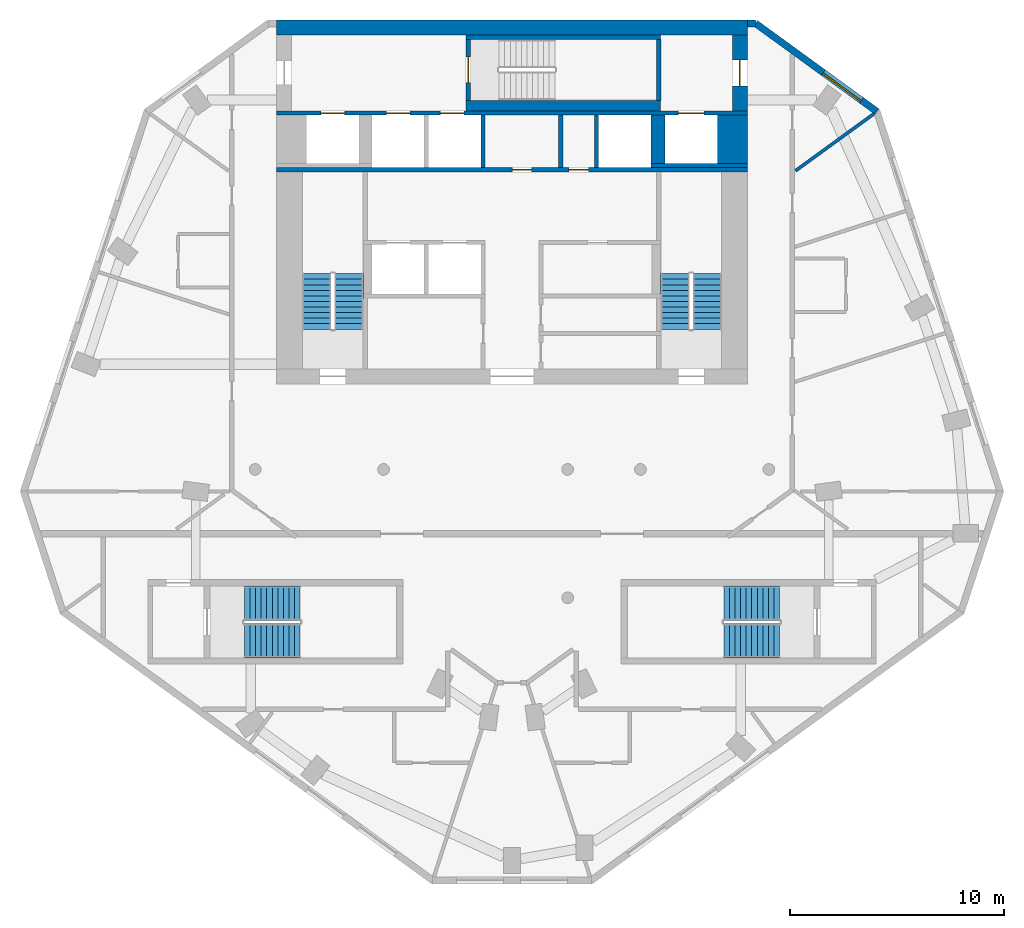
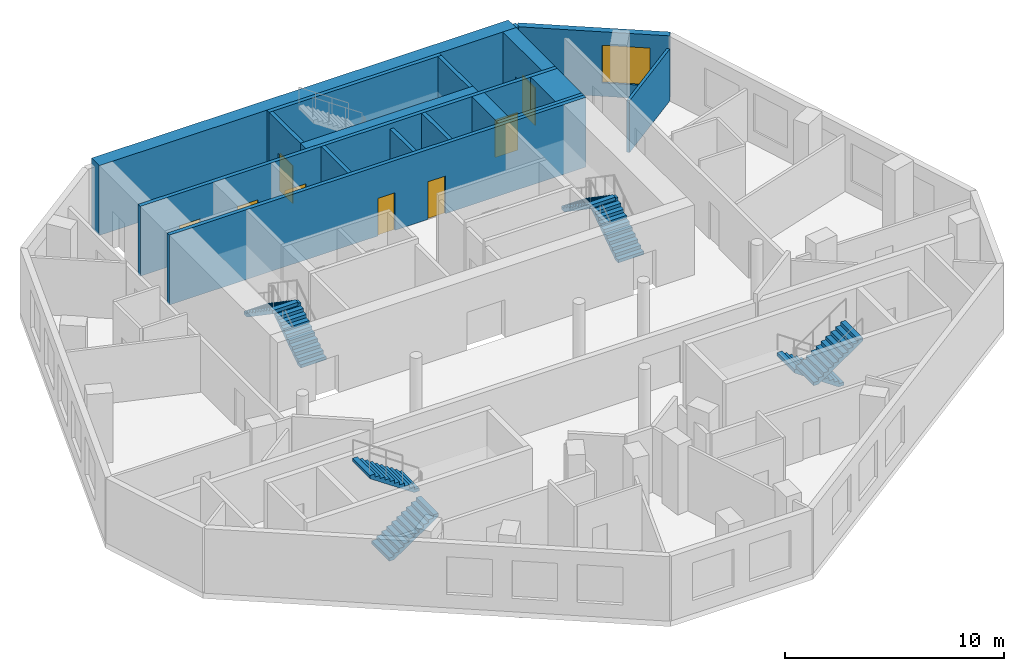
# One storey, part 5 of 8: 17 walls, 8 doors, 8 stair flights, 1 window, 9 openings, 4 elements without a shape of their own.
"""IFC4 building model written with IfcOpenShell, lengths in metres."""

from ifc_helpers import new_model, si_unit, direction, frame, frame_2d, origin, place, context, subcontext, project, spatial, polyline, rectangle, outline, extrude, material, layer, layer_set, type_object, element, fill, aggregate, save


model = new_model("IFC4")

# Units and contexts
model_context = context("Model", 3, precision=1e-05, world=origin(), true_north=direction((0.0, 1.0)))
body_context = subcontext(model_context, "Body", "Model", "MODEL_VIEW")
ifc_project = project(units=[si_unit("LENGTHUNIT", "METRE"), si_unit("AREAUNIT", "SQUARE_METRE"), si_unit("VOLUMEUNIT", "CUBIC_METRE"), si_unit("PLANEANGLEUNIT", "RADIAN"), si_unit("MASSUNIT", "GRAM", prefix="KILO")], contexts=[model_context])

# Site, building, storey
site_placement = place(None, origin())
site = spatial("IfcSite", under=ifc_project, at=site_placement, CompositionType="ELEMENT")
building_placement = place(site_placement, origin())
building = spatial("IfcBuilding", under=site, at=building_placement, Name="White Candle Pilgrim Tower", CompositionType="ELEMENT")
storey_placement = place(building_placement, frame((0.0, 0.0, 291.199951171875)))
storey = spatial("IfcBuildingStorey", under=building, at=storey_placement, Name="L69", CompositionType="ELEMENT", Elevation=291.199951171875)

# Walls
ifc_material_1 = material(Name="Concrete C50/60", Category="concrete")
ifc_layer_1 = layer(ifc_material_1, 1.39990234375)
ifc_layer_set_1 = layer_set([ifc_layer_1], Name="Core wall 1400 mm Concrete C50/60")
wall_type_1 = type_object("IfcWallType", Name="Core wall 1400 mm Concrete C50/60", PredefinedType="SHEAR", material=ifc_layer_set_1)
wall_1_placement = place(storey_placement, frame((80.300048828125, 81.300048828125, 0.0), z_axis=(0.0, 0.0, 1.0), x_axis=(0.0, 1.0, 0.0)))
element("IfcWall", 1, at=wall_1_placement, inside=storey, type_object=wall_type_1, Name="WL-L69-C42", PredefinedType="SHEAR", context=body_context, shape_type="SweptSolid", body=[
    extrude(rectangle(XDim=2.25, YDim=1.39990234375, at=frame_2d((1.125, 0.0))), origin(), (0.0, 0.0, 1.0), 3.900146484375),
])
ifc_layer_2 = layer(ifc_material_1, 0.199951171875)
ifc_layer_set_2 = layer_set([ifc_layer_2], Name="Core wall 200 mm Concrete C50/60")
wall_type_2 = type_object("IfcWallType", Name="Core wall 200 mm Concrete C50/60", PredefinedType="SHEAR", material=ifc_layer_set_2)
wall_2_placement = place(storey_placement, frame((76.5, 81.199951171875, 0.0), z_axis=(0.0, 0.0, 1.0), x_axis=(1.0, 0.0, 0.0)))
element("IfcWall", 2, at=wall_2_placement, inside=storey, type_object=wall_type_2, Name="WL-L69-C38", PredefinedType="SHEAR", context=body_context, shape_type="SweptSolid", body=[
    extrude(rectangle(XDim=4.5, YDim=0.199951171875, at=frame_2d((2.25, 0.0))), origin(), (0.0, 0.0, 1.0), 3.900146484375),
])

# Wall, openings, doors
wall_3_placement = place(storey_placement, frame((59.0, 83.64990234375, 0.0), z_axis=(0.0, 0.0, 1.0), x_axis=(1.0, 0.0, 0.0)))
wall_3 = element("IfcWall", 3, at=wall_3_placement, inside=storey, type_object=wall_type_2, Name="WL-L69-C43", PredefinedType="SHEAR", context=body_context, shape_type="SweptSolid", body=[
    extrude(rectangle(XDim=22.0, YDim=0.199951171875, at=frame_2d((11.0, 0.0))), origin(), (0.0, 0.0, 1.0), 3.900146484375),
])
opening_1_placement = place(wall_3_placement, frame((5.125, 0.0, 0.0)))
opening_1 = element("IfcOpeningElement", 4, at=opening_1_placement, cuts=wall_3, Name="Opening T21-016", PredefinedType="OPENING", context=body_context, shape_type="SweptSolid", body=[
    extrude(rectangle(XDim=1.10009765625, YDim=2.10009765625, at=frame_2d((0.550048828125, 1.050048828125))), frame((0.0, 0.10986328125, 0.0), z_axis=(0.0, -1.0, 0.0), x_axis=(1.0, 0.0, 0.0)), (0.0, 0.0, 1.0), 0.219970703125),
])
opening_2_placement = place(wall_3_placement, frame((7.64990234375, 0.0, 0.0)))
opening_2 = element("IfcOpeningElement", 5, at=opening_2_placement, cuts=wall_3, Name="Opening T21-017", PredefinedType="OPENING", context=body_context, shape_type="SweptSolid", body=[
    extrude(rectangle(XDim=1.10009765625, YDim=2.10009765625, at=frame_2d((0.550048828125, 1.050048828125))), frame((0.0, 0.10986328125, 0.0), z_axis=(0.0, -1.0, 0.0), x_axis=(1.0, 0.0, 0.0)), (0.0, 0.0, 1.0), 0.219970703125),
])
opening_3_placement = place(wall_3_placement, frame((18.77490234375, 0.0, 0.0)))
opening_3 = element("IfcOpeningElement", 6, at=opening_3_placement, cuts=wall_3, Name="Opening T21-018", PredefinedType="OPENING", context=body_context, shape_type="SweptSolid", body=[
    extrude(rectangle(XDim=1.199951171875, YDim=2.10009765625, at=frame_2d((0.60009765625, 1.050048828125))), frame((0.0, 0.10986328125, 0.0), z_axis=(0.0, -1.0, 0.0), x_axis=(1.0, 0.0, 0.0)), (0.0, 0.0, 1.0), 0.219970703125),
])
opening_4_placement = place(wall_3_placement, frame((2.074951171875, 0.0, 0.0)))
opening_4 = element("IfcOpeningElement", 7, at=opening_4_placement, cuts=wall_3, Name="Opening T21-019", PredefinedType="OPENING", context=body_context, shape_type="SweptSolid", body=[
    extrude(rectangle(XDim=1.10009765625, YDim=2.10009765625, at=frame_2d((0.550048828125, 1.050048828125))), frame((0.0, 0.10986328125, 0.0), z_axis=(0.0, -1.0, 0.0), x_axis=(1.0, 0.0, 0.0)), (0.0, 0.0, 1.0), 0.219970703125),
])
ifc_material_2 = material(Name="Stainless steel", Category="steel")
door_type_1 = type_object("IfcDoorType", Name="Lift landing door 1100 x 2100 EI 60", OperationType="DOUBLE_DOOR_SLIDING", PredefinedType="DOOR", material=ifc_material_2)
door_1_placement = place(opening_1_placement, origin())
door_1 = element("IfcDoor", 8, at=door_1_placement, inside=storey, type_object=door_type_1, Name="Door T21-016", OperationType="DOUBLE_DOOR_SLIDING", OverallHeight=2.10009765625, OverallWidth=1.10009765625, PredefinedType="DOOR", context=body_context, shape_type="SweptSolid", body=[
    extrude(rectangle(XDim=1.10009765625, YDim=2.10009765625, at=frame_2d((0.550048828125, 1.050048828125))), frame((0.0, 0.02490234375, 0.0), z_axis=(0.0, -1.0, 0.0), x_axis=(1.0, 0.0, 0.0)), (0.0, 0.0, 1.0), 0.050048828125),
])
fill(opening_1, door_1)
door_2_placement = place(opening_2_placement, origin())
door_2 = element("IfcDoor", 9, at=door_2_placement, inside=storey, type_object=door_type_1, Name="Door T21-017", OperationType="DOUBLE_DOOR_SLIDING", OverallHeight=2.10009765625, OverallWidth=1.10009765625, PredefinedType="DOOR", context=body_context, shape_type="SweptSolid", body=[
    extrude(rectangle(XDim=1.10009765625, YDim=2.10009765625, at=frame_2d((0.550048828125, 1.050048828125))), frame((0.0, 0.02490234375, 0.0), z_axis=(0.0, -1.0, 0.0), x_axis=(1.0, 0.0, 0.0)), (0.0, 0.0, 1.0), 0.050048828125),
])
fill(opening_2, door_2)
door_3_placement = place(opening_4_placement, origin())
door_3 = element("IfcDoor", 10, at=door_3_placement, inside=storey, type_object=door_type_1, Name="Door T21-019", OperationType="DOUBLE_DOOR_SLIDING", OverallHeight=2.10009765625, OverallWidth=1.10009765625, PredefinedType="DOOR", context=body_context, shape_type="SweptSolid", body=[
    extrude(rectangle(XDim=1.10009765625, YDim=2.10009765625, at=frame_2d((0.550048828125, 1.050048828125))), frame((0.0, 0.02490234375, 0.0), z_axis=(0.0, -1.0, 0.0), x_axis=(1.0, 0.0, 0.0)), (0.0, 0.0, 1.0), 0.050048828125),
])
fill(opening_4, door_3)
door_type_2 = type_object("IfcDoorType", Name="Lift landing door 1200 x 2100 E 60", OperationType="DOUBLE_DOOR_SLIDING", PredefinedType="DOOR", material=ifc_material_2)
door_4_placement = place(opening_3_placement, origin())
door_4 = element("IfcDoor", 11, at=door_4_placement, inside=storey, type_object=door_type_2, Name="Door T21-018", OperationType="DOUBLE_DOOR_SLIDING", OverallHeight=2.10009765625, OverallWidth=1.199951171875, PredefinedType="DOOR", context=body_context, shape_type="SweptSolid", body=[
    extrude(rectangle(XDim=1.199951171875, YDim=2.10009765625, at=frame_2d((0.60009765625, 1.050048828125))), frame((0.0, 0.02490234375, 0.0), z_axis=(0.0, -1.0, 0.0), x_axis=(1.0, 0.0, 0.0)), (0.0, 0.0, 1.0), 0.050048828125),
])
fill(opening_3, door_4)

# Wall, opening, door
ifc_layer_3 = layer(ifc_material_1, 0.699951171875)
ifc_layer_set_3 = layer_set([ifc_layer_3], Name="Core wall 700 mm Concrete C50/60")
wall_type_3 = type_object("IfcWallType", Name="Core wall 700 mm Concrete C50/60", PredefinedType="SHEAR", material=ifc_layer_set_3)
wall_4_placement = place(storey_placement, frame((80.64990234375, 83.75, 0.0), z_axis=(0.0, 0.0, 1.0), x_axis=(0.0, 1.0, 0.0)))
wall_4 = element("IfcWall", 12, at=wall_4_placement, inside=storey, type_object=wall_type_3, Name="WL-L69-C46", PredefinedType="SHEAR", context=body_context, shape_type="SweptSolid", body=[
    extrude(rectangle(XDim=3.550048828125, YDim=0.699951171875, at=frame_2d((1.77490234375, 0.0))), origin(), (0.0, 0.0, 1.0), 3.900146484375),
])
opening_5_placement = place(wall_4_placement, frame((1.175048828125, 0.0, 0.0)))
opening_5 = element("IfcOpeningElement", 13, at=opening_5_placement, cuts=wall_4, Name="Opening T21-009", PredefinedType="OPENING", context=body_context, shape_type="SweptSolid", body=[
    extrude(rectangle(XDim=1.199951171875, YDim=2.10009765625, at=frame_2d((0.60009765625, 1.050048828125))), frame((0.0, 0.35986328125, 0.0), z_axis=(0.0, -1.0, 0.0), x_axis=(1.0, 0.0, 0.0)), (0.0, 0.0, 1.0), 0.719970703125),
])
ifc_material_3 = material(Name="Steel door leaf", Category="steel")
door_type_3 = type_object("IfcDoorType", Name="Fire door 1200 x 2100 EI 30", OperationType="NOTDEFINED", PredefinedType="DOOR", material=ifc_material_3)
door_5_placement = place(opening_5_placement, origin())
door_5 = element("IfcDoor", 14, at=door_5_placement, inside=storey, type_object=door_type_3, Name="Door T21-009", OperationType="SINGLE_SWING_LEFT", OverallHeight=2.10009765625, OverallWidth=1.199951171875, PredefinedType="DOOR", context=body_context, shape_type="SweptSolid", body=[
    extrude(rectangle(XDim=1.199951171875, YDim=2.10009765625, at=frame_2d((0.60009765625, 1.050048828125))), frame((0.0, 0.02490234375, 0.0), z_axis=(0.0, -1.0, 0.0), x_axis=(1.0, 0.0, 0.0)), (0.0, 0.0, 1.0), 0.050048828125),
])
fill(opening_5, door_5)

# Wall
wall_5_placement = place(storey_placement, frame((59.0, 87.64990234375, 0.0), z_axis=(0.0, 0.0, 1.0), x_axis=(1.0, 0.0, 0.0)))
element("IfcWall", 15, at=wall_5_placement, inside=storey, type_object=wall_type_3, Name="WL-L69-C50", PredefinedType="SHEAR", context=body_context, shape_type="SweptSolid", body=[
    extrude(rectangle(XDim=22.0, YDim=0.699951171875, at=frame_2d((11.0, 0.0))), origin(), (0.0, 0.0, 1.0), 3.900146484375),
])

# Wall, opening, window
ifc_material_4 = material(Name="Precast concrete C40/50", Category="concrete")
ifc_layer_4 = layer(ifc_material_4, 0.320068359375)
ifc_layer_set_4 = layer_set([ifc_layer_4], Name="Facade wall EW1 precast concrete C40/50 pier wall with timber-lined reveals")
wall_type_4 = type_object("IfcWallType", Name="Facade wall EW1 precast concrete C40/50 pier wall with timber-lined reveals", PredefinedType="SOLIDWALL", material=ifc_layer_set_4)
wall_6_placement = place(storey_placement, frame((87.05322265625, 83.7216796875, 0.0), z_axis=(0.0, 0.0, 1.0), x_axis=(-0.809002708762, 0.587804914249, 0.0)))
wall_6 = element("IfcWall", 16, at=wall_6_placement, inside=storey, type_object=wall_type_4, Name="Facade wall L69 NE chamfer", PredefinedType="SOLIDWALL", context=body_context, shape_type="SweptSolid", body=[
    extrude(rectangle(XDim=7.00634765625, YDim=0.320068359375, at=frame_2d((3.503173828125, 0.0))), origin(), (0.0, 0.0, 1.0), 3.60009765625),
])
opening_6_placement = place(wall_6_placement, frame((0.9033203125, 0.0, 0.75)))
opening_6 = element("IfcOpeningElement", 17, at=opening_6_placement, cuts=wall_6, Name="Opening W4", PredefinedType="OPENING", context=body_context, shape_type="SweptSolid", body=[
    extrude(rectangle(XDim=2.199951171875, YDim=2.10009765625, at=frame_2d((1.10009765625, 1.050048828125))), frame((0.0, 0.169921875, 0.0), z_axis=(0.0, -1.0, 0.0), x_axis=(1.0, 0.0, 0.0)), (0.0, 0.0, 1.0), 0.340087890625),
])
ifc_material_5 = material(Name="Timber frame with triple glazing", Category="wood")
window_type = type_object("IfcWindowType", Name="Window W4 2200x2100 timber frame triple glazing", PartitioningType="SINGLE_PANEL", PredefinedType="WINDOW", material=ifc_material_5)
window_placement = place(opening_6_placement, origin())
window = element("IfcWindow", 18, at=window_placement, inside=storey, type_object=window_type, Name="Window W4 L69 NE chamfer 1", OverallHeight=2.10009765625, OverallWidth=2.199951171875, PartitioningType="SINGLE_PANEL", PredefinedType="WINDOW", context=body_context, shape_type="SweptSolid", body=[
    extrude(rectangle(XDim=2.199951171875, YDim=2.10009765625, at=frame_2d((1.10009765625, 1.050048828125))), frame((0.0, 0.070068359375, 0.0), z_axis=(0.0, -1.0, 0.0), x_axis=(1.0, 0.0, 0.0)), (0.0, 0.0, 1.0), 0.06005859375),
])
fill(opening_6, window)

# Walls
wall_7_placement = place(storey_placement, frame((81.385009765625, 87.840087890625, 0.0), z_axis=(0.0, 0.0, 1.0), x_axis=(-1.0, 0.0, 0.0)))
element("IfcWall", 19, at=wall_7_placement, inside=storey, type_object=wall_type_4, Name="Facade wall L69 N", PredefinedType="SOLIDWALL", context=body_context, shape_type="SweptSolid", body=[
    extrude(rectangle(XDim=0.385009765625, YDim=0.320068359375, at=frame_2d((0.1923828125, 0.0))), origin(), (0.0, 0.0, 1.0), 3.60009765625),
])
ifc_material_6 = material(Name="Gypsum board on steel studs", Category="steel")
ifc_layer_5 = layer(ifc_material_6, 0.199951171875)
ifc_layer_set_5 = layer_set([ifc_layer_5], Name="Lobby wall 200 mm EI 60")
wall_type_5 = type_object("IfcWallType", Name="Lobby wall 200 mm EI 60", PredefinedType="PARTITIONING", material=ifc_layer_set_5)
wall_8_placement = place(storey_placement, frame((72.280029296875, 81.10009765625, 0.0), z_axis=(0.0, 0.0, 1.0), x_axis=(0.0, 1.0, 0.0)))
element("IfcWall", 20, at=wall_8_placement, inside=storey, type_object=wall_type_5, Name="WL-L69-C36", PredefinedType="PARTITIONING", context=body_context, shape_type="SweptSolid", body=[
    extrude(rectangle(XDim=2.449951171875, YDim=0.199951171875, at=frame_2d((1.22509765625, 0.0))), origin(), (0.0, 0.0, 1.0), 3.60009765625),
])
ifc_layer_6 = layer(ifc_material_6, 0.14990234375)
ifc_layer_set_6 = layer_set([ifc_layer_6], Name="Partition 150 mm EI 60")
wall_type_6 = type_object("IfcWallType", Name="Partition 150 mm EI 60", PredefinedType="PARTITIONING", material=ifc_layer_set_6)
wall_9_placement = place(storey_placement, frame((86.917236328125, 83.622802734375, 0.0), z_axis=(0.0, 0.0, 1.0), x_axis=(-0.809012707043, -0.587791153253, 0.0)))
element("IfcWall", 21, at=wall_9_placement, inside=storey, type_object=wall_type_6, Name="WL-L69-P024", PredefinedType="PARTITIONING", context=body_context, shape_type="SweptSolid", body=[
    extrude(rectangle(XDim=4.540283203125, YDim=0.14990234375, at=frame_2d((2.27001953125, 0.0))), origin(), (0.0, 0.0, 1.0), 2.900146484375),
])
ifc_layer_7 = layer(ifc_material_1, 0.199951171875)
ifc_layer_set_7 = layer_set([ifc_layer_7], Name="Shaft wall 200 mm Concrete C50/60")
wall_type_7 = type_object("IfcWallType", Name="Shaft wall 200 mm Concrete C50/60", PredefinedType="SHEAR", material=ifc_layer_set_7)
for number, where, z_axis, x_axis, name in (
    (22, (68.64990234375, 81.10009765625, 0.0), (0.0, 0.0, 1.0), (0.0, 1.0, 0.0), "WL-L69-C35"),
    (23, (73.949951171875, 81.10009765625, 0.0), (0.0, 0.0, 1.0), (0.0, 1.0, 0.0), "WL-L69-C37"),
):
    element("IfcWall", number, at=place(storey_placement, frame(where, z_axis=z_axis, x_axis=x_axis)), inside=storey, type_object=wall_type_7, Name=name, PredefinedType="SHEAR", context=body_context, shape_type="SweptSolid", body=[
        extrude(rectangle(XDim=2.449951171875, YDim=0.199951171875, at=frame_2d((1.22509765625, 0.0))), origin(), (0.0, 0.0, 1.0), 3.900146484375),
    ])
ifc_layer_8 = layer(ifc_material_1, 0.64990234375)
ifc_layer_set_8 = layer_set([ifc_layer_8], Name="Shaft wall 650 mm Concrete C50/60")
wall_type_8 = type_object("IfcWallType", Name="Shaft wall 650 mm Concrete C50/60", PredefinedType="SHEAR", material=ifc_layer_set_8)
wall_10_placement = place(storey_placement, frame((76.824951171875, 81.300048828125, 0.0), z_axis=(0.0, 0.0, 1.0), x_axis=(0.0, 1.0, 0.0)))
element("IfcWall", 24, at=wall_10_placement, inside=storey, type_object=wall_type_8, Name="WL-L69-C41", PredefinedType="SHEAR", context=body_context, shape_type="SweptSolid", body=[
    extrude(rectangle(XDim=2.25, YDim=0.64990234375, at=frame_2d((1.125, 0.0))), origin(), (0.0, 0.0, 1.0), 3.900146484375),
])

# Wall, openings, doors
ifc_layer_9 = layer(ifc_material_1, 0.199951171875)
ifc_layer_set_9 = layer_set([ifc_layer_9], Name="Stair shaft wall 200 mm Concrete C50/60")
wall_type_9 = type_object("IfcWallType", Name="Stair shaft wall 200 mm Concrete C50/60", PredefinedType="SHEAR", material=ifc_layer_set_9)
wall_11_placement = place(storey_placement, frame((59.0, 81.0, 0.0), z_axis=(0.0, 0.0, 1.0), x_axis=(1.0, 0.0, 0.0)))
wall_11 = element("IfcWall", 25, at=wall_11_placement, inside=storey, type_object=wall_type_9, Name="WL-L69-C32", PredefinedType="SHEAR", context=body_context, shape_type="SweptSolid", body=[
    extrude(rectangle(XDim=22.0, YDim=0.199951171875, at=frame_2d((11.0, 0.0))), origin(), (0.0, 0.0, 1.0), 3.900146484375),
])
opening_7_placement = place(wall_11_placement, frame((11.014892578125, 0.0, 0.0)))
opening_7 = element("IfcOpeningElement", 26, at=opening_7_placement, cuts=wall_11, Name="Opening T21-021", PredefinedType="OPENING", context=body_context, shape_type="SweptSolid", body=[
    extrude(rectangle(XDim=0.89990234375, YDim=2.10009765625, at=frame_2d((0.449951171875, 1.050048828125))), frame((0.0, 0.10986328125, 0.0), z_axis=(0.0, -1.0, 0.0), x_axis=(1.0, 0.0, 0.0)), (0.0, 0.0, 1.0), 0.219970703125),
])
opening_8_placement = place(wall_11_placement, frame((13.6650390625, 0.0, 0.0)))
opening_8 = element("IfcOpeningElement", 27, at=opening_8_placement, cuts=wall_11, Name="Opening T21-022", PredefinedType="OPENING", context=body_context, shape_type="SweptSolid", body=[
    extrude(rectangle(XDim=0.89990234375, YDim=2.10009765625, at=frame_2d((0.449951171875, 1.050048828125))), frame((0.0, 0.10986328125, 0.0), z_axis=(0.0, -1.0, 0.0), x_axis=(1.0, 0.0, 0.0)), (0.0, 0.0, 1.0), 0.219970703125),
])
door_type_4 = type_object("IfcDoorType", Name="Fire door 900 x 2100 EI 30", OperationType="NOTDEFINED", PredefinedType="DOOR", material=ifc_material_3)
door_6_placement = place(opening_7_placement, origin())
door_6 = element("IfcDoor", 28, at=door_6_placement, inside=storey, type_object=door_type_4, Name="Door T21-021", OperationType="SINGLE_SWING_LEFT", OverallHeight=2.10009765625, OverallWidth=0.89990234375, PredefinedType="DOOR", context=body_context, shape_type="SweptSolid", body=[
    extrude(rectangle(XDim=0.89990234375, YDim=2.10009765625, at=frame_2d((0.449951171875, 1.050048828125))), frame((0.0, 0.02490234375, 0.0), z_axis=(0.0, -1.0, 0.0), x_axis=(1.0, 0.0, 0.0)), (0.0, 0.0, 1.0), 0.050048828125),
])
fill(opening_7, door_6)
door_7_placement = place(opening_8_placement, origin())
door_7 = element("IfcDoor", 29, at=door_7_placement, inside=storey, type_object=door_type_4, Name="Door T21-022", OperationType="SINGLE_SWING_RIGHT", OverallHeight=2.10009765625, OverallWidth=0.89990234375, PredefinedType="DOOR", context=body_context, shape_type="SweptSolid", body=[
    extrude(rectangle(XDim=0.89990234375, YDim=2.10009765625, at=frame_2d((0.449951171875, 1.050048828125))), frame((0.0, 0.02490234375, 0.0), z_axis=(0.0, -1.0, 0.0), x_axis=(1.0, 0.0, 0.0)), (0.0, 0.0, 1.0), 0.050048828125),
])
fill(opening_8, door_7)

# Wall, opening, door
wall_12_placement = place(storey_placement, frame((67.949951171875, 84.25, 0.0), z_axis=(0.0, 0.0, 1.0), x_axis=(0.0, 1.0, 0.0)))
wall_12 = element("IfcWall", 30, at=wall_12_placement, inside=storey, type_object=wall_type_9, Name="WL-L69-C47", PredefinedType="SHEAR", context=body_context, shape_type="SweptSolid", body=[
    extrude(rectangle(XDim=2.85009765625, YDim=0.199951171875, at=frame_2d((1.425048828125, 0.0))), origin(), (0.0, 0.0, 1.0), 3.900146484375),
])
opening_9_placement = place(wall_12_placement, frame((0.824951171875, 0.0, 0.0)))
opening_9 = element("IfcOpeningElement", 31, at=opening_9_placement, cuts=wall_12, Name="Opening T21-003", PredefinedType="OPENING", context=body_context, shape_type="SweptSolid", body=[
    extrude(rectangle(XDim=1.199951171875, YDim=2.10009765625, at=frame_2d((0.60009765625, 1.050048828125))), frame((0.0, 0.10986328125, 0.0), z_axis=(0.0, -1.0, 0.0), x_axis=(1.0, 0.0, 0.0)), (0.0, 0.0, 1.0), 0.219970703125),
])
door_type_5 = type_object("IfcDoorType", Name="Fire door 1200 x 2100 EI 60", OperationType="NOTDEFINED", PredefinedType="DOOR", material=ifc_material_3)
door_8_placement = place(opening_9_placement, frame((1.199951171875, 0.0, 0.0), z_axis=(0.0, 0.0, 1.0), x_axis=(-1.0, 0.0, 0.0)))
door_8 = element("IfcDoor", 32, at=door_8_placement, inside=storey, type_object=door_type_5, Name="Door T21-003", OperationType="SINGLE_SWING_RIGHT", OverallHeight=2.10009765625, OverallWidth=1.199951171875, PredefinedType="DOOR", context=body_context, shape_type="SweptSolid", body=[
    extrude(rectangle(XDim=1.199951171875, YDim=2.10009765625, at=frame_2d((0.60009765625, 1.050048828125))), frame((0.0, 0.02490234375, 0.0), z_axis=(0.0, -1.0, 0.0), x_axis=(1.0, 0.0, 0.0)), (0.0, 0.0, 1.0), 0.050048828125),
])
fill(opening_9, door_8)

# Walls
wall_13_placement = place(storey_placement, frame((76.85009765625, 84.25, 0.0), z_axis=(0.0, 0.0, 1.0), x_axis=(0.0, 1.0, 0.0)))
element("IfcWall", 33, at=wall_13_placement, inside=storey, type_object=wall_type_9, Name="WL-L69-C48", PredefinedType="SHEAR", context=body_context, shape_type="SweptSolid", body=[
    extrude(rectangle(XDim=2.85009765625, YDim=0.199951171875, at=frame_2d((1.425048828125, 0.0))), origin(), (0.0, 0.0, 1.0), 3.900146484375),
])
wall_14_placement = place(storey_placement, frame((67.85009765625, 87.199951171875, 0.0), z_axis=(0.0, 0.0, 1.0), x_axis=(1.0, 0.0, 0.0)))
element("IfcWall", 34, at=wall_14_placement, inside=storey, type_object=wall_type_9, Name="WL-L69-C49", PredefinedType="SHEAR", context=body_context, shape_type="SweptSolid", body=[
    extrude(rectangle(XDim=9.099853515625, YDim=0.199951171875, at=frame_2d((4.5498046875, 0.0))), origin(), (0.0, 0.0, 1.0), 3.900146484375),
])
ifc_layer_10 = layer(ifc_material_1, 0.5)
ifc_layer_set_10 = layer_set([ifc_layer_10], Name="Stair shaft wall 500 mm Concrete C50/60")
wall_type_10 = type_object("IfcWallType", Name="Stair shaft wall 500 mm Concrete C50/60", PredefinedType="SHEAR", material=ifc_layer_set_10)
wall_15_placement = place(storey_placement, frame((67.85009765625, 84.0, 0.0), z_axis=(0.0, 0.0, 1.0), x_axis=(1.0, 0.0, 0.0)))
element("IfcWall", 35, at=wall_15_placement, inside=storey, type_object=wall_type_10, Name="WL-L69-C45", PredefinedType="SHEAR", context=body_context, shape_type="SweptSolid", body=[
    extrude(rectangle(XDim=9.099853515625, YDim=0.5, at=frame_2d((4.5498046875, 0.0))), origin(), (0.0, 0.0, 1.0), 3.900146484375),
])

# Stair, stair flights
ifc_material_7 = material(Name="Concrete C40/50", Category="concrete")
stair_type_1 = type_object("IfcStairType", Name="Exit stair 1 flight width 1350 mm", PredefinedType="HALF_TURN_STAIR", material=ifc_material_7)
stair_1_placement = place(storey_placement, origin())
stair_1 = element("IfcStair", 36, at=stair_1_placement, inside=storey, type_object=stair_type_1, Name="L69 stair 1", PredefinedType="NOTDEFINED")
ifc_layer_11 = layer(ifc_material_7, 0.14990234375)
ifc_layer_set_11 = layer_set([ifc_layer_11], Name="Stair flight Concrete C40/50")
stair_flight_type = type_object("IfcStairFlightType", Name="Stair flight Concrete C40/50", PredefinedType="STRAIGHT", material=ifc_layer_set_11)
stair_flight_1_placement = place(storey_placement, frame((62.375, 73.550048828125, 0.0), z_axis=(0.0, 0.0, 1.0), x_axis=(0.0, 1.0, 0.0)))
stair_flight_1 = element("IfcStairFlight", 37, at=stair_flight_1_placement, type_object=stair_flight_type, Name="ST1 flight 1", NumberOfRisers=11, NumberOfTreads=10, PredefinedType="NOTDEFINED", RiserHeight=0.177272727, TreadLength=0.26, context=body_context, shape_type="SweptSolid", body=[
    extrude(outline(polyline([(0.0, 0.0), (0.0, 0.17724609375), (0.260009765625, 0.17724609375), (0.260009765625, 0.3544921875), (0.52001953125, 0.3544921875), (0.52001953125, 0.53173828125), (0.780029296875, 0.53173828125), (0.780029296875, 0.708984375), (1.0400390625, 0.708984375), (1.0400390625, 0.886474609375), (1.300048828125, 0.886474609375), (1.300048828125, 1.063720703125), (1.56005859375, 1.063720703125), (1.56005859375, 1.240966796875), (1.820068359375, 1.240966796875), (1.820068359375, 1.418212890625), (2.080078125, 1.418212890625), (2.080078125, 1.595458984375), (2.340087890625, 1.595458984375), (2.340087890625, 1.772705078125), (2.60009765625, 1.772705078125), (2.60009765625, 1.949951171875), (2.60009765625, 1.59130859375), (0.26611328125, 0.0), (0.0, 0.0)])), frame((0.0, 0.675048828125, 0.0), z_axis=(0.0, -1.0, 0.0), x_axis=(1.0, 0.0, 0.0)), (0.0, 0.0, 1.0), 1.35009765625),
])
stair_flight_2_placement = place(storey_placement, frame((60.875, 76.14990234375, 1.949951171875), z_axis=(0.0, 0.0, 1.0), x_axis=(0.0, -1.0, 0.0)))
stair_flight_2 = element("IfcStairFlight", 38, at=stair_flight_2_placement, type_object=stair_flight_type, Name="ST1 flight 2", NumberOfRisers=11, NumberOfTreads=10, PredefinedType="NOTDEFINED", RiserHeight=0.177272727, TreadLength=0.26, context=body_context, shape_type="SweptSolid", body=[
    extrude(outline(polyline([(0.0, 0.0), (0.0, 0.17724609375), (0.260009765625, 0.17724609375), (0.260009765625, 0.3544921875), (0.52001953125, 0.3544921875), (0.52001953125, 0.53173828125), (0.780029296875, 0.53173828125), (0.780029296875, 0.708984375), (1.0400390625, 0.708984375), (1.0400390625, 0.886474609375), (1.300048828125, 0.886474609375), (1.300048828125, 1.063720703125), (1.56005859375, 1.063720703125), (1.56005859375, 1.240966796875), (1.820068359375, 1.240966796875), (1.820068359375, 1.418212890625), (2.080078125, 1.418212890625), (2.080078125, 1.595458984375), (2.340087890625, 1.595458984375), (2.340087890625, 1.772705078125), (2.60009765625, 1.772705078125), (2.60009765625, 1.949951171875), (2.60009765625, 1.59130859375), (0.26611328125, 0.0), (0.0, 0.0)])), frame((0.0, 0.675048828125, 0.0), z_axis=(0.0, -1.0, 0.0), x_axis=(1.0, 0.0, 0.0)), (0.0, 0.0, 1.0), 1.35009765625),
])
aggregate(stair_1, [stair_flight_1, stair_flight_2])

stair_type_2 = type_object("IfcStairType", Name="Exit stair 2 flight width 1350 mm", PredefinedType="HALF_TURN_STAIR", material=ifc_material_7)
stair_2_placement = place(storey_placement, origin())
stair_2 = element("IfcStair", 39, at=stair_2_placement, inside=storey, type_object=stair_type_2, Name="L69 stair 2", PredefinedType="NOTDEFINED")
stair_flight_3_placement = place(storey_placement, frame((79.125, 73.550048828125, 0.0), z_axis=(0.0, 0.0, 1.0), x_axis=(0.0, 1.0, 0.0)))
stair_flight_3 = element("IfcStairFlight", 40, at=stair_flight_3_placement, type_object=stair_flight_type, Name="ST2 flight 1", NumberOfRisers=11, NumberOfTreads=10, PredefinedType="NOTDEFINED", RiserHeight=0.177272727, TreadLength=0.26, context=body_context, shape_type="SweptSolid", body=[
    extrude(outline(polyline([(0.0, 0.0), (0.0, 0.17724609375), (0.260009765625, 0.17724609375), (0.260009765625, 0.3544921875), (0.52001953125, 0.3544921875), (0.52001953125, 0.53173828125), (0.780029296875, 0.53173828125), (0.780029296875, 0.708984375), (1.0400390625, 0.708984375), (1.0400390625, 0.886474609375), (1.300048828125, 0.886474609375), (1.300048828125, 1.063720703125), (1.56005859375, 1.063720703125), (1.56005859375, 1.240966796875), (1.820068359375, 1.240966796875), (1.820068359375, 1.418212890625), (2.080078125, 1.418212890625), (2.080078125, 1.595458984375), (2.340087890625, 1.595458984375), (2.340087890625, 1.772705078125), (2.60009765625, 1.772705078125), (2.60009765625, 1.949951171875), (2.60009765625, 1.59130859375), (0.26611328125, 0.0), (0.0, 0.0)])), frame((0.0, 0.675048828125, 0.0), z_axis=(0.0, -1.0, 0.0), x_axis=(1.0, 0.0, 0.0)), (0.0, 0.0, 1.0), 1.35009765625),
])
stair_flight_4_placement = place(storey_placement, frame((77.625, 76.14990234375, 1.949951171875), z_axis=(0.0, 0.0, 1.0), x_axis=(0.0, -1.0, 0.0)))
stair_flight_4 = element("IfcStairFlight", 41, at=stair_flight_4_placement, type_object=stair_flight_type, Name="ST2 flight 2", NumberOfRisers=11, NumberOfTreads=10, PredefinedType="NOTDEFINED", RiserHeight=0.177272727, TreadLength=0.26, context=body_context, shape_type="SweptSolid", body=[
    extrude(outline(polyline([(0.0, 0.0), (0.0, 0.17724609375), (0.260009765625, 0.17724609375), (0.260009765625, 0.3544921875), (0.52001953125, 0.3544921875), (0.52001953125, 0.53173828125), (0.780029296875, 0.53173828125), (0.780029296875, 0.708984375), (1.0400390625, 0.708984375), (1.0400390625, 0.886474609375), (1.300048828125, 0.886474609375), (1.300048828125, 1.063720703125), (1.56005859375, 1.063720703125), (1.56005859375, 1.240966796875), (1.820068359375, 1.240966796875), (1.820068359375, 1.418212890625), (2.080078125, 1.418212890625), (2.080078125, 1.595458984375), (2.340087890625, 1.595458984375), (2.340087890625, 1.772705078125), (2.60009765625, 1.772705078125), (2.60009765625, 1.949951171875), (2.60009765625, 1.59130859375), (0.26611328125, 0.0), (0.0, 0.0)])), frame((0.0, 0.675048828125, 0.0), z_axis=(0.0, -1.0, 0.0), x_axis=(1.0, 0.0, 0.0)), (0.0, 0.0, 1.0), 1.35009765625),
])
aggregate(stair_2, [stair_flight_3, stair_flight_4])

stair_type_3 = type_object("IfcStairType", Name="Exit stair 4 flight width 1600 mm", PredefinedType="HALF_TURN_STAIR", material=ifc_material_7)
stair_3_placement = place(storey_placement, origin())
stair_3 = element("IfcStair", 42, at=stair_3_placement, inside=storey, type_object=stair_type_3, Name="L69 stair 4", PredefinedType="NOTDEFINED")
stair_flight_5_placement = place(storey_placement, frame((82.5, 60.75, 0.0), z_axis=(0.0, 0.0, 1.0), x_axis=(-1.0, 0.0, 0.0)))
stair_flight_5 = element("IfcStairFlight", 43, at=stair_flight_5_placement, type_object=stair_flight_type, Name="ST4 flight 1", NumberOfRisers=11, NumberOfTreads=10, PredefinedType="NOTDEFINED", RiserHeight=0.177272727, TreadLength=0.26, context=body_context, shape_type="SweptSolid", body=[
    extrude(outline(polyline([(0.0, 0.0), (0.0, 0.17724609375), (0.260009765625, 0.17724609375), (0.260009765625, 0.3544921875), (0.52001953125, 0.3544921875), (0.52001953125, 0.53173828125), (0.780029296875, 0.53173828125), (0.780029296875, 0.708984375), (1.0400390625, 0.708984375), (1.0400390625, 0.886474609375), (1.300048828125, 0.886474609375), (1.300048828125, 1.063720703125), (1.56005859375, 1.063720703125), (1.56005859375, 1.240966796875), (1.820068359375, 1.240966796875), (1.820068359375, 1.418212890625), (2.080078125, 1.418212890625), (2.080078125, 1.595458984375), (2.340087890625, 1.595458984375), (2.340087890625, 1.772705078125), (2.60009765625, 1.772705078125), (2.60009765625, 1.949951171875), (2.60009765625, 1.59130859375), (0.26611328125, 0.0), (0.0, 0.0)])), frame((0.0, 0.800048828125, 0.0), z_axis=(0.0, -1.0, 0.0), x_axis=(1.0, 0.0, 0.0)), (0.0, 0.0, 1.0), 1.60009765625),
])
stair_flight_6_placement = place(storey_placement, frame((79.89990234375, 59.0, 1.949951171875), z_axis=(0.0, 0.0, 1.0), x_axis=(1.0, 0.0, 0.0)))
stair_flight_6 = element("IfcStairFlight", 44, at=stair_flight_6_placement, type_object=stair_flight_type, Name="ST4 flight 2", NumberOfRisers=11, NumberOfTreads=10, PredefinedType="NOTDEFINED", RiserHeight=0.177272727, TreadLength=0.26, context=body_context, shape_type="SweptSolid", body=[
    extrude(outline(polyline([(0.0, 0.0), (0.0, 0.17724609375), (0.260009765625, 0.17724609375), (0.260009765625, 0.3544921875), (0.52001953125, 0.3544921875), (0.52001953125, 0.53173828125), (0.780029296875, 0.53173828125), (0.780029296875, 0.708984375), (1.0400390625, 0.708984375), (1.0400390625, 0.886474609375), (1.300048828125, 0.886474609375), (1.300048828125, 1.063720703125), (1.56005859375, 1.063720703125), (1.56005859375, 1.240966796875), (1.820068359375, 1.240966796875), (1.820068359375, 1.418212890625), (2.080078125, 1.418212890625), (2.080078125, 1.595458984375), (2.340087890625, 1.595458984375), (2.340087890625, 1.772705078125), (2.60009765625, 1.772705078125), (2.60009765625, 1.949951171875), (2.60009765625, 1.59130859375), (0.26611328125, 0.0), (0.0, 0.0)])), frame((0.0, 0.800048828125, 0.0), z_axis=(0.0, -1.0, 0.0), x_axis=(1.0, 0.0, 0.0)), (0.0, 0.0, 1.0), 1.60009765625),
])
aggregate(stair_3, [stair_flight_5, stair_flight_6])

stair_type_4 = type_object("IfcStairType", Name="Exit stair 5 flight width 1600 mm", PredefinedType="HALF_TURN_STAIR", material=ifc_material_7)
stair_4_placement = place(storey_placement, origin())
stair_4 = element("IfcStair", 45, at=stair_4_placement, inside=storey, type_object=stair_type_4, Name="L69 stair 5", PredefinedType="NOTDEFINED")
stair_flight_7_placement = place(storey_placement, frame((57.5, 59.0, 0.0), z_axis=(0.0, 0.0, 1.0), x_axis=(1.0, 0.0, 0.0)))
stair_flight_7 = element("IfcStairFlight", 46, at=stair_flight_7_placement, type_object=stair_flight_type, Name="ST5 flight 1", NumberOfRisers=11, NumberOfTreads=10, PredefinedType="NOTDEFINED", RiserHeight=0.177272727, TreadLength=0.26, context=body_context, shape_type="SweptSolid", body=[
    extrude(outline(polyline([(0.0, 0.0), (0.0, 0.17724609375), (0.260009765625, 0.17724609375), (0.260009765625, 0.3544921875), (0.52001953125, 0.3544921875), (0.52001953125, 0.53173828125), (0.780029296875, 0.53173828125), (0.780029296875, 0.708984375), (1.0400390625, 0.708984375), (1.0400390625, 0.886474609375), (1.300048828125, 0.886474609375), (1.300048828125, 1.063720703125), (1.56005859375, 1.063720703125), (1.56005859375, 1.240966796875), (1.820068359375, 1.240966796875), (1.820068359375, 1.418212890625), (2.080078125, 1.418212890625), (2.080078125, 1.595458984375), (2.340087890625, 1.595458984375), (2.340087890625, 1.772705078125), (2.60009765625, 1.772705078125), (2.60009765625, 1.949951171875), (2.60009765625, 1.59130859375), (0.26611328125, 0.0), (0.0, 0.0)])), frame((0.0, 0.800048828125, 0.0), z_axis=(0.0, -1.0, 0.0), x_axis=(1.0, 0.0, 0.0)), (0.0, 0.0, 1.0), 1.60009765625),
])
stair_flight_8_placement = place(storey_placement, frame((60.10009765625, 60.75, 1.949951171875), z_axis=(0.0, 0.0, 1.0), x_axis=(-1.0, 0.0, 0.0)))
stair_flight_8 = element("IfcStairFlight", 47, at=stair_flight_8_placement, type_object=stair_flight_type, Name="ST5 flight 2", NumberOfRisers=11, NumberOfTreads=10, PredefinedType="NOTDEFINED", RiserHeight=0.177272727, TreadLength=0.26, context=body_context, shape_type="SweptSolid", body=[
    extrude(outline(polyline([(0.0, 0.0), (0.0, 0.17724609375), (0.260009765625, 0.17724609375), (0.260009765625, 0.3544921875), (0.52001953125, 0.3544921875), (0.52001953125, 0.53173828125), (0.780029296875, 0.53173828125), (0.780029296875, 0.708984375), (1.0400390625, 0.708984375), (1.0400390625, 0.886474609375), (1.300048828125, 0.886474609375), (1.300048828125, 1.063720703125), (1.56005859375, 1.063720703125), (1.56005859375, 1.240966796875), (1.820068359375, 1.240966796875), (1.820068359375, 1.418212890625), (2.080078125, 1.418212890625), (2.080078125, 1.595458984375), (2.340087890625, 1.595458984375), (2.340087890625, 1.772705078125), (2.60009765625, 1.772705078125), (2.60009765625, 1.949951171875), (2.60009765625, 1.59130859375), (0.26611328125, 0.0), (0.0, 0.0)])), frame((0.0, 0.800048828125, 0.0), z_axis=(0.0, -1.0, 0.0), x_axis=(1.0, 0.0, 0.0)), (0.0, 0.0, 1.0), 1.60009765625),
])
aggregate(stair_4, [stair_flight_7, stair_flight_8])

save(model, "model.ifc")
